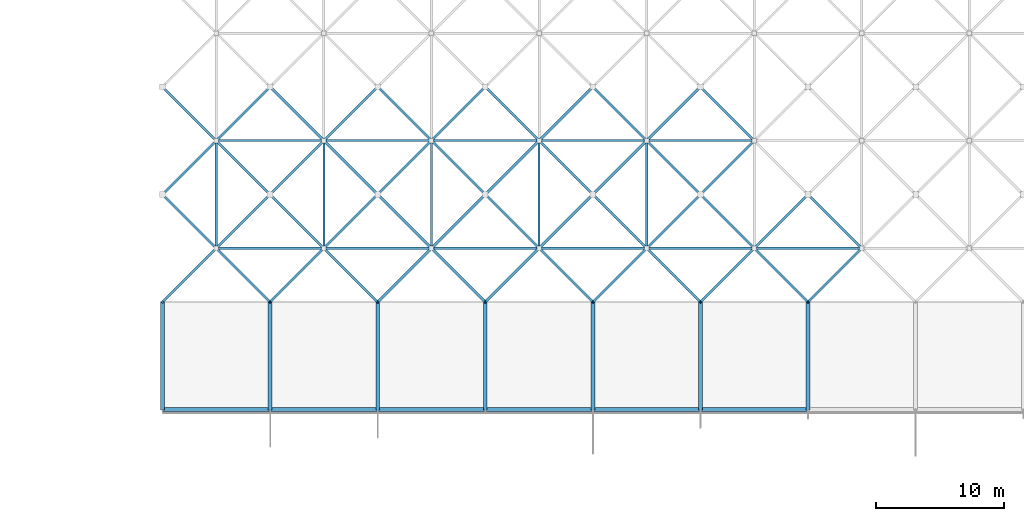
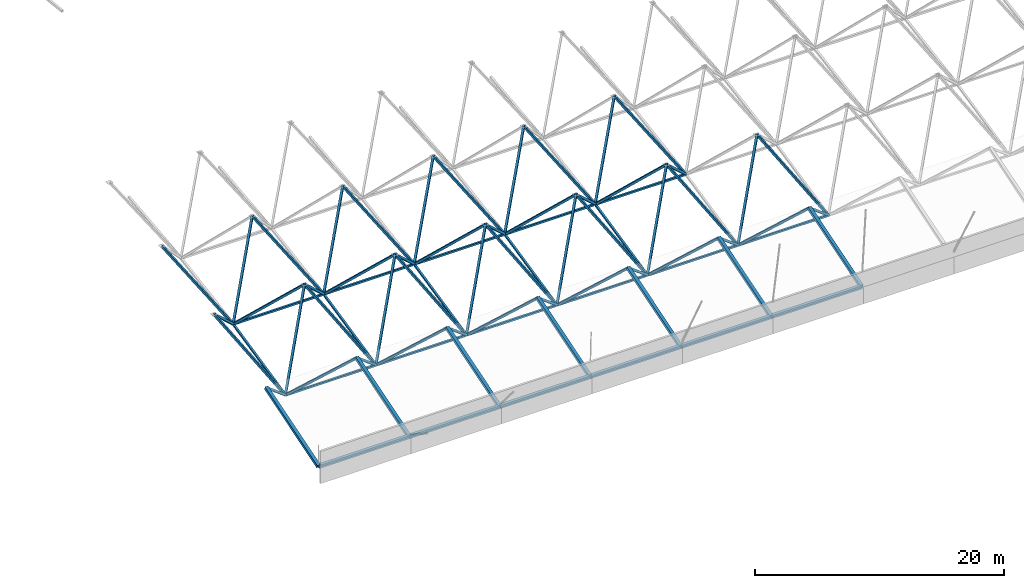
# One storey, part 15 of 85: 77 members.
"""IFC4 building model written with IfcOpenShell, lengths in metres."""

import ifcopenshell
import ifcopenshell.guid

model = None  # the IFC model being written
_history = None  # IfcOwnerHistory: only IFC2X3 demands one
_inside = {}  # id of a spatial element -> (the spatial element, [elements in it])
_under = {}  # id of a project, library or spatial element -> (it, [spatial elements below it])
_declared = {}  # id of a project -> (the project, [libraries it declares])
_typed = {}  # id of a type object -> (the type object, [elements of that type])
_made_of = {}  # id of a material, layer set ... -> (it, [elements and type objects made of it])


def new_model(schema):
    """Start an empty IFC model of exactly this schema.

    Asked for "IFC4X3", IfcOpenShell would pick the latest addendum, in which some entities
    have other attributes; the version numbers below select the first issue.
    IFC2X3 requires an IfcOwnerHistory on every rooted entity: one is made here for all.
    """
    global model, _history
    if schema == "IFC4X3":
        model = ifcopenshell.file(schema_version=(4, 3, 0, 0))
    else:
        model = ifcopenshell.file(schema=schema)
    _inside.clear()
    _under.clear()
    _declared.clear()
    _typed.clear()
    _made_of.clear()
    _history = None
    if model.schema == "IFC2X3":
        org = make("IfcOrganization", Name="unknown")
        user = make(
            "IfcPersonAndOrganization",
            ThePerson=make("IfcPerson", FamilyName="unknown"),
            TheOrganization=org,
        )
        app = make(
            "IfcApplication",
            ApplicationDeveloper=org,
            Version="unknown",
            ApplicationFullName="unknown",
            ApplicationIdentifier="unknown",
        )
        _history = make(
            "IfcOwnerHistory",
            OwningUser=user,
            OwningApplication=app,
            ChangeAction="ADDED",
            CreationDate=0,
        )
    return model


def make(cls, **values):
    """One entity of the class cls with the attributes given. An attribute that is None is left unset."""
    return model.create_entity(
        cls, **{name: value for name, value in values.items() if value is not None}
    )


def rooted(cls, **values):
    """An entity with a GlobalId (a new one), such as an element, a storey or a relation."""
    return make(cls, GlobalId=ifcopenshell.guid.new(), OwnerHistory=_history, **values)


def si_unit(unit_type, name, prefix=None):
    """IfcSIUnit, for example si_unit("LENGTHUNIT", "METRE", prefix="MILLI")."""
    return make("IfcSIUnit", UnitType=unit_type, Prefix=prefix, Name=name)


def assignment(units):
    """IfcUnitAssignment: the units of a project."""
    return None if units is None else make("IfcUnitAssignment", Units=units)


def point(xyz):
    """IfcCartesianPoint."""
    return None if xyz is None else make("IfcCartesianPoint", Coordinates=xyz)


def direction(xyz):
    """IfcDirection."""
    return None if xyz is None else make("IfcDirection", DirectionRatios=xyz)


def frame(location, z_axis=None, x_axis=None):
    """IfcAxis2Placement3D, a coordinate frame: its origin and axes. An axis left out is left unset."""
    return make(
        "IfcAxis2Placement3D",
        Location=point(location),
        Axis=direction(z_axis),
        RefDirection=direction(x_axis),
    )


def frame_2d(location, x_axis=None):
    """IfcAxis2Placement2D, a coordinate frame in the plane: its origin and x axis."""
    return make(
        "IfcAxis2Placement2D", Location=point(location), RefDirection=direction(x_axis)
    )


def origin():
    """The frame at (0, 0, 0) with its axes left unset."""
    return frame((0.0, 0.0, 0.0))


def origin_2d():
    """The frame at (0, 0) in the plane with its x axis left unset."""
    return frame_2d((0.0, 0.0))


def place(relative_to, where):
    """IfcLocalPlacement: puts the frame where relative to a parent placement (None: the world)."""
    return make(
        "IfcLocalPlacement", PlacementRelTo=relative_to, RelativePlacement=where
    )


def context(
    kind, dimensions, precision=None, world=None, true_north=None, identifier=None
):
    """IfcGeometricRepresentationContext, for example the 3D "Model" context."""
    return make(
        "IfcGeometricRepresentationContext",
        ContextIdentifier=identifier,
        ContextType=kind,
        CoordinateSpaceDimension=dimensions,
        Precision=precision,
        WorldCoordinateSystem=world,
        TrueNorth=true_north,
    )


def subcontext(parent, identifier, kind, view, scale=None):
    """IfcGeometricRepresentationSubContext, for example "Body" below "Model"."""
    return make(
        "IfcGeometricRepresentationSubContext",
        ContextIdentifier=identifier,
        ContextType=kind,
        ParentContext=parent,
        TargetScale=scale,
        TargetView=view,
    )


def project(units=None, contexts=None):
    """IfcProject with its units and contexts."""
    return rooted(
        "IfcProject",
        Name="project",
        RepresentationContexts=contexts,
        UnitsInContext=assignment(units),
    )


def spatial(cls, under=None, at=None, **own):
    """A site, building, storey or space (cls), placed at a placement, below another one or the project."""
    s = rooted(cls, ObjectPlacement=at, **own)
    if under is not None:
        _under.setdefault(under.id(), (under, []))[1].append(s)
    return s


def profile(cls, at=None, kind="AREA", **sizes):
    """A parametric profile (cls). Its sizes go by their IFC names, for example OverallWidth=200.0."""
    return make(cls, ProfileType=kind, Position=at, **sizes)


def hollow_rectangle(**sizes):
    """IfcRectangleHollowProfileDef."""
    return profile("IfcRectangleHollowProfileDef", **sizes)


def extrude(swept, where, along, depth):
    """IfcExtrudedAreaSolid: the profile swept, set in the frame where, extruded along a direction by depth."""
    return make(
        "IfcExtrudedAreaSolid",
        SweptArea=swept,
        Position=where,
        ExtrudedDirection=direction(along),
        Depth=depth,
    )


def shape(context_of_items, identifier, shape_type, items):
    """IfcShapeRepresentation: the items that make up one representation, for example the "Body"."""
    return make(
        "IfcShapeRepresentation",
        ContextOfItems=context_of_items,
        RepresentationIdentifier=identifier,
        RepresentationType=shape_type,
        Items=items,
    )


def material(Name=None, Category=None):
    """IfcMaterial."""
    return make("IfcMaterial", Name=Name, Category=Category)


def material_profile(
    of_material, cross_section, Name=None, Category=None, Priority=None
):
    """IfcMaterialProfile: a cross section and its material."""
    return make(
        "IfcMaterialProfile",
        Name=Name,
        Material=of_material,
        Profile=cross_section,
        Priority=Priority,
        Category=Category,
    )


def profile_set(profiles, Name=None, composite=None):
    """IfcMaterialProfileSet."""
    return make(
        "IfcMaterialProfileSet",
        Name=Name,
        MaterialProfiles=profiles,
        CompositeProfile=composite,
    )


def made_of(thing, what):
    """Note that an element or type object is made of a material, layer set ...; save() writes the relation."""
    if what is not None:
        _made_of.setdefault(what.id(), (what, []))[1].append(thing)
    return thing


def type_object(cls, material=None, **own):
    """A type object (cls), such as IfcWallType, which elements share."""
    return made_of(rooted(cls, **own), material)


def element(
    cls,
    number,
    at=None,
    inside=None,
    cuts=None,
    type_object=None,
    material=None,
    context=None,
    identifier="Body",
    shape_type=None,
    held_by="IfcProductDefinitionShape",
    body=None,
    shapes=None,
    **own,
):
    """One element of the class cls, such as IfcWall. Its Tag is "e" and its number.

    at: its placement. inside: the storey or other place that contains it. cuts: it is an
    opening in that element (IfcRelVoidsElement). A single representation is given by context,
    identifier, shape_type and body (its items); several are given by shapes. held_by: the class
    of the entity that holds the representations. save() writes the other relations.
    """
    e = rooted(cls, Tag="e%d" % number, ObjectPlacement=at, **own)
    if body is not None:
        shapes = [shape(context, identifier, shape_type, body)]
    if shapes is not None:
        e.Representation = make(held_by, Representations=shapes)
    if inside is not None:
        _inside.setdefault(inside.id(), (inside, []))[1].append(e)
    if cuts is not None:
        rooted(
            "IfcRelVoidsElement", RelatingBuildingElement=cuts, RelatedOpeningElement=e
        )
    if type_object is not None:
        _typed.setdefault(type_object.id(), (type_object, []))[1].append(e)
    return made_of(e, material)


def aggregate(whole, parts):
    """IfcRelAggregates: a whole, such as a stair, and the parts it consists of."""
    return rooted("IfcRelAggregates", RelatingObject=whole, RelatedObjects=parts)


def save(model, path):
    """Write the relations noted so far, then the file.

    IfcRelAggregates (storeys below a building ...), IfcRelContainedInSpatialStructure (elements
    in a storey), IfcRelDefinesByType, IfcRelAssociatesMaterial and IfcRelDeclares: one each for
    every whole, place, type object, material and project.
    """
    for whole, parts in _under.values():
        aggregate(whole, parts)
    for where, things in _inside.values():
        rooted(
            "IfcRelContainedInSpatialStructure",
            RelatedElements=things,
            RelatingStructure=where,
        )
    for kind, things in _typed.values():
        rooted("IfcRelDefinesByType", RelatedObjects=things, RelatingType=kind)
    for what, things in _made_of.values():
        rooted("IfcRelAssociatesMaterial", RelatedObjects=things, RelatingMaterial=what)
    for by, libraries in _declared.values():
        rooted("IfcRelDeclares", RelatingContext=by, RelatedDefinitions=libraries)
    model.write(path)


model = new_model("IFC4")

# Units and contexts
model_context = context("Model", 3, precision=1e-05, world=origin(), true_north=direction((0.0, 1.0)))
body_context = subcontext(model_context, "Body", "Model", "MODEL_VIEW")
ifc_project = project(units=[si_unit("LENGTHUNIT", "METRE"), si_unit("AREAUNIT", "SQUARE_METRE"), si_unit("VOLUMEUNIT", "CUBIC_METRE"), si_unit("PLANEANGLEUNIT", "RADIAN"), si_unit("MASSUNIT", "GRAM", prefix="KILO")], contexts=[model_context])

# Site, building, storey
site_placement = place(None, origin())
site = spatial("IfcSite", under=ifc_project, at=site_placement, CompositionType="ELEMENT")
building_placement = place(site_placement, origin())
building = spatial("IfcBuilding", under=site, at=building_placement, Name="Rain Tree Exposition and Congress Centre", CompositionType="ELEMENT")
storey_placement = place(building_placement, frame((0.0, 0.0, 15.0)))
storey = spatial("IfcBuildingStorey", under=building, at=storey_placement, Name="L03", CompositionType="ELEMENT", Elevation=15.0)

# Members
ifc_material_1 = material(Name="Steel S355J2H", Category="steel")
ifc_material_profile_1 = material_profile(ifc_material_1, hollow_rectangle(XDim=0.199951171875, YDim=0.199951171875, WallThickness=0.009033203125, at=origin_2d()), Name="RHS 200x200x9")
ifc_profile_set_1 = profile_set([ifc_material_profile_1], Name="Steel S355J2H")
member_type_1 = type_object("IfcMemberType", Name="Steel brace member RHS 200x200x9", PredefinedType="BRACE", material=ifc_profile_set_1)
member_1_placement = place(storey_placement, frame((12.60009765625, 113.39990234375, 0.732666015625), z_axis=(-0.552977009953, -0.552944867602, 0.623272332016), x_axis=(0.70708622964, -0.707127332136, 0.0)))
element("IfcMember", 1, at=member_1_placement, inside=storey, type_object=member_type_1, Name="Diagonal 446", PredefinedType="BRACE", context=body_context, shape_type="SweptSolid", body=[
    extrude(hollow_rectangle(XDim=0.199951171875, YDim=0.199951171875, WallThickness=0.009033203125, at=origin_2d()), origin(), (0.0, 0.0, 1.0), 7.595703125),
])
member_2_placement = place(storey_placement, frame((12.60009765625, 113.39990234375, 0.732666015625), z_axis=(0.55295469561, -0.55295469561, 0.62328341002), x_axis=(0.707106781187, 0.707106781187, 0.0)))
element("IfcMember", 2, at=member_2_placement, inside=storey, type_object=member_type_1, Name="Diagonal 447", PredefinedType="BRACE", context=body_context, shape_type="SweptSolid", body=[
    extrude(hollow_rectangle(XDim=0.199951171875, YDim=0.199951171875, WallThickness=0.009033203125, at=origin_2d()), origin(), (0.0, 0.0, 1.0), 7.595458984375),
])
for number, where, z_axis, x_axis, name in (
    (3, (12.60009765625, 113.39990234375, 0.732666015625), (-0.46357929112, 0.46357929112, 0.755108258258), (-0.707106781187, -0.707106781187, 0.0), "Diagonal 448"),
    (4, (12.60009765625, 113.39990234375, 0.732666015625), (0.46355813556, 0.463585081915, 0.755117690682), (-0.707127332136, 0.70708622964, 0.0), "Diagonal 449"),
):
    element("IfcMember", number, at=place(storey_placement, frame(where, z_axis=z_axis, x_axis=x_axis)), inside=storey, type_object=member_type_1, Name=name, PredefinedType="BRACE", context=body_context, shape_type="SweptSolid", body=[
        extrude(hollow_rectangle(XDim=0.199951171875, YDim=0.199951171875, WallThickness=0.009033203125, at=origin_2d()), origin(), (0.0, 0.0, 1.0), 9.060302734375),
    ])
for number, where, z_axis, x_axis, name in (
    (5, (21.0, 113.39990234375, 0.732666015625), (-0.55295469561, -0.55295469561, 0.62328341002), (0.707106781187, -0.707106781187, 0.0), "Diagonal 452"),
    (6, (21.0, 113.39990234375, 0.732666015625), (0.55295469561, -0.55295469561, 0.62328341002), (0.707106781187, 0.707106781187, 0.0), "Diagonal 453"),
):
    element("IfcMember", number, at=place(storey_placement, frame(where, z_axis=z_axis, x_axis=x_axis)), inside=storey, type_object=member_type_1, Name=name, PredefinedType="BRACE", context=body_context, shape_type="SweptSolid", body=[
        extrude(hollow_rectangle(XDim=0.199951171875, YDim=0.199951171875, WallThickness=0.009033203125, at=origin_2d()), origin(), (0.0, 0.0, 1.0), 7.595458984375),
    ])
for number, where, z_axis, x_axis, name in (
    (7, (21.0, 113.39990234375, 0.732666015625), (-0.46355813556, 0.463585081915, 0.755117690682), (-0.707127332136, -0.70708622964, 0.0), "Diagonal 454"),
    (8, (21.0, 113.39990234375, 0.732666015625), (0.46355813556, 0.463585081915, 0.755117690682), (-0.707127332136, 0.70708622964, 0.0), "Diagonal 455"),
):
    element("IfcMember", number, at=place(storey_placement, frame(where, z_axis=z_axis, x_axis=x_axis)), inside=storey, type_object=member_type_1, Name=name, PredefinedType="BRACE", context=body_context, shape_type="SweptSolid", body=[
        extrude(hollow_rectangle(XDim=0.199951171875, YDim=0.199951171875, WallThickness=0.009033203125, at=origin_2d()), origin(), (0.0, 0.0, 1.0), 9.060302734375),
    ])
member_3_placement = place(storey_placement, frame((29.39990234375, 113.39990234375, 0.732666015625), z_axis=(-0.55295469561, -0.55295469561, 0.62328341002), x_axis=(0.707106781187, -0.707106781187, 0.0)))
element("IfcMember", 9, at=member_3_placement, inside=storey, type_object=member_type_1, Name="Diagonal 458", PredefinedType="BRACE", context=body_context, shape_type="SweptSolid", body=[
    extrude(hollow_rectangle(XDim=0.199951171875, YDim=0.199951171875, WallThickness=0.009033203125, at=origin_2d()), origin(), (0.0, 0.0, 1.0), 7.595458984375),
])
member_4_placement = place(storey_placement, frame((29.39990234375, 113.39990234375, 0.732666015625), z_axis=(0.552977009953, -0.552944867602, 0.623272332016), x_axis=(0.70708622964, 0.707127332136, 0.0)))
element("IfcMember", 10, at=member_4_placement, inside=storey, type_object=member_type_1, Name="Diagonal 459", PredefinedType="BRACE", context=body_context, shape_type="SweptSolid", body=[
    extrude(hollow_rectangle(XDim=0.199951171875, YDim=0.199951171875, WallThickness=0.009033203125, at=origin_2d()), origin(), (0.0, 0.0, 1.0), 7.595703125),
])
for number, where, z_axis, x_axis, name in (
    (11, (29.39990234375, 113.39990234375, 0.732666015625), (-0.46355813556, 0.463585081915, 0.755117690682), (-0.707127332136, -0.70708622964, 0.0), "Diagonal 460"),
    (12, (29.39990234375, 113.39990234375, 0.732666015625), (0.46357929112, 0.46357929112, 0.755108258258), (-0.707106781187, 0.707106781187, 0.0), "Diagonal 461"),
):
    element("IfcMember", number, at=place(storey_placement, frame(where, z_axis=z_axis, x_axis=x_axis)), inside=storey, type_object=member_type_1, Name=name, PredefinedType="BRACE", context=body_context, shape_type="SweptSolid", body=[
        extrude(hollow_rectangle(XDim=0.199951171875, YDim=0.199951171875, WallThickness=0.009033203125, at=origin_2d()), origin(), (0.0, 0.0, 1.0), 9.060302734375),
    ])
for number, where, z_axis, x_axis, name in (
    (13, (37.800048828125, 113.39990234375, 0.732666015625), (-0.55295469561, -0.55295469561, 0.62328341002), (0.707106781187, -0.707106781187, 0.0), "Diagonal 464"),
    (14, (37.800048828125, 113.39990234375, 0.732666015625), (0.55295469561, -0.55295469561, 0.62328341002), (0.707106781187, 0.707106781187, 0.0), "Diagonal 465"),
):
    element("IfcMember", number, at=place(storey_placement, frame(where, z_axis=z_axis, x_axis=x_axis)), inside=storey, type_object=member_type_1, Name=name, PredefinedType="BRACE", context=body_context, shape_type="SweptSolid", body=[
        extrude(hollow_rectangle(XDim=0.199951171875, YDim=0.199951171875, WallThickness=0.009033203125, at=origin_2d()), origin(), (0.0, 0.0, 1.0), 7.595458984375),
    ])
for number, where, z_axis, x_axis, name in (
    (15, (37.800048828125, 113.39990234375, 0.732666015625), (-0.46355813556, 0.463585081915, 0.755117690682), (-0.707127332136, -0.70708622964, 0.0), "Diagonal 466"),
    (16, (37.800048828125, 113.39990234375, 0.732666015625), (0.46355813556, 0.463585081915, 0.755117690682), (-0.707127332136, 0.70708622964, 0.0), "Diagonal 467"),
):
    element("IfcMember", number, at=place(storey_placement, frame(where, z_axis=z_axis, x_axis=x_axis)), inside=storey, type_object=member_type_1, Name=name, PredefinedType="BRACE", context=body_context, shape_type="SweptSolid", body=[
        extrude(hollow_rectangle(XDim=0.199951171875, YDim=0.199951171875, WallThickness=0.009033203125, at=origin_2d()), origin(), (0.0, 0.0, 1.0), 9.060302734375),
    ])
for number, where, z_axis, x_axis, name in (
    (17, (46.199951171875, 113.39990234375, 0.732666015625), (-0.55295469561, -0.55295469561, 0.62328341002), (0.707106781187, -0.707106781187, 0.0), "Diagonal 470"),
    (18, (46.199951171875, 113.39990234375, 0.732666015625), (0.55295469561, -0.55295469561, 0.62328341002), (0.707106781187, 0.707106781187, 0.0), "Diagonal 471"),
):
    element("IfcMember", number, at=place(storey_placement, frame(where, z_axis=z_axis, x_axis=x_axis)), inside=storey, type_object=member_type_1, Name=name, PredefinedType="BRACE", context=body_context, shape_type="SweptSolid", body=[
        extrude(hollow_rectangle(XDim=0.199951171875, YDim=0.199951171875, WallThickness=0.009033203125, at=origin_2d()), origin(), (0.0, 0.0, 1.0), 7.595458984375),
    ])
for number, where, z_axis, x_axis, name in (
    (19, (46.199951171875, 113.39990234375, 0.732666015625), (-0.46355813556, 0.463585081915, 0.755117690682), (-0.707127332136, -0.70708622964, 0.0), "Diagonal 472"),
    (20, (46.199951171875, 113.39990234375, 0.732666015625), (0.46355813556, 0.463585081915, 0.755117690682), (-0.707127332136, 0.70708622964, 0.0), "Diagonal 473"),
):
    element("IfcMember", number, at=place(storey_placement, frame(where, z_axis=z_axis, x_axis=x_axis)), inside=storey, type_object=member_type_1, Name=name, PredefinedType="BRACE", context=body_context, shape_type="SweptSolid", body=[
        extrude(hollow_rectangle(XDim=0.199951171875, YDim=0.199951171875, WallThickness=0.009033203125, at=origin_2d()), origin(), (0.0, 0.0, 1.0), 9.060302734375),
    ])
member_5_placement = place(storey_placement, frame((54.60009765625, 113.39990234375, 0.732666015625), z_axis=(-0.552977009953, -0.552944867602, 0.623272332016), x_axis=(0.70708622964, -0.707127332136, 0.0)))
element("IfcMember", 21, at=member_5_placement, inside=storey, type_object=member_type_1, Name="Diagonal 476", PredefinedType="BRACE", context=body_context, shape_type="SweptSolid", body=[
    extrude(hollow_rectangle(XDim=0.199951171875, YDim=0.199951171875, WallThickness=0.009033203125, at=origin_2d()), origin(), (0.0, 0.0, 1.0), 7.595703125),
])
member_6_placement = place(storey_placement, frame((54.60009765625, 113.39990234375, 0.732666015625), z_axis=(0.55295469561, -0.55295469561, 0.62328341002), x_axis=(0.707106781187, 0.707106781187, 0.0)))
element("IfcMember", 22, at=member_6_placement, inside=storey, type_object=member_type_1, Name="Diagonal 477", PredefinedType="BRACE", context=body_context, shape_type="SweptSolid", body=[
    extrude(hollow_rectangle(XDim=0.199951171875, YDim=0.199951171875, WallThickness=0.009033203125, at=origin_2d()), origin(), (0.0, 0.0, 1.0), 7.595458984375),
])
for number, where, z_axis, x_axis, name in (
    (23, (54.60009765625, 113.39990234375, 0.732666015625), (-0.46357929112, 0.46357929112, 0.755108258258), (-0.707106781187, -0.707106781187, 0.0), "Diagonal 478"),
    (24, (54.60009765625, 113.39990234375, 0.732666015625), (0.46355813556, 0.463585081915, 0.755117690682), (-0.707127332136, 0.70708622964, 0.0), "Diagonal 479"),
):
    element("IfcMember", number, at=place(storey_placement, frame(where, z_axis=z_axis, x_axis=x_axis)), inside=storey, type_object=member_type_1, Name=name, PredefinedType="BRACE", context=body_context, shape_type="SweptSolid", body=[
        extrude(hollow_rectangle(XDim=0.199951171875, YDim=0.199951171875, WallThickness=0.009033203125, at=origin_2d()), origin(), (0.0, 0.0, 1.0), 9.060302734375),
    ])
member_7_placement = place(storey_placement, frame((63.0, 113.39990234375, 0.732666015625), z_axis=(-0.55295469561, -0.55295469561, 0.62328341002), x_axis=(0.707106781187, -0.707106781187, 0.0)))
element("IfcMember", 25, at=member_7_placement, inside=storey, type_object=member_type_1, Name="Diagonal 482", PredefinedType="BRACE", context=body_context, shape_type="SweptSolid", body=[
    extrude(hollow_rectangle(XDim=0.199951171875, YDim=0.199951171875, WallThickness=0.009033203125, at=origin_2d()), origin(), (0.0, 0.0, 1.0), 7.595458984375),
])
member_8_placement = place(storey_placement, frame((63.0, 113.39990234375, 0.732666015625), z_axis=(-0.46355813556, 0.463585081915, 0.755117690682), x_axis=(-0.707127332136, -0.70708622964, 0.0)))
element("IfcMember", 26, at=member_8_placement, inside=storey, type_object=member_type_1, Name="Diagonal 484", PredefinedType="BRACE", context=body_context, shape_type="SweptSolid", body=[
    extrude(hollow_rectangle(XDim=0.199951171875, YDim=0.199951171875, WallThickness=0.009033203125, at=origin_2d()), origin(), (0.0, 0.0, 1.0), 9.060302734375),
])
member_9_placement = place(storey_placement, frame((12.60009765625, 121.800048828125, 2.593505859375), z_axis=(-0.541842377579, -0.54181088244, 0.642532338119), x_axis=(0.70708622964, -0.707127332136, 0.0)))
element("IfcMember", 27, at=member_9_placement, inside=storey, type_object=member_type_1, Name="Diagonal 529", PredefinedType="BRACE", context=body_context, shape_type="SweptSolid", body=[
    extrude(hollow_rectangle(XDim=0.199951171875, YDim=0.199951171875, WallThickness=0.009033203125, at=origin_2d()), origin(), (0.0, 0.0, 1.0), 7.751708984375),
])
member_10_placement = place(storey_placement, frame((12.60009765625, 121.800048828125, 2.593505859375), z_axis=(0.541820128628, -0.541820128628, 0.642543303153), x_axis=(0.707106781187, 0.707106781187, 0.0)))
element("IfcMember", 28, at=member_10_placement, inside=storey, type_object=member_type_1, Name="Diagonal 530", PredefinedType="BRACE", context=body_context, shape_type="SweptSolid", body=[
    extrude(hollow_rectangle(XDim=0.199951171875, YDim=0.199951171875, WallThickness=0.009033203125, at=origin_2d()), origin(), (0.0, 0.0, 1.0), 7.75146484375),
])
for number, where, z_axis, x_axis, name in (
    (29, (12.60009765625, 121.800048828125, 2.593505859375), (-0.473049938698, 0.473022442189, 0.743285627928), (-0.70708622964, -0.707127332136, 0.0), "Diagonal 531"),
    (30, (12.60009765625, 121.800048828125, 2.593505859375), (0.473028594838, 0.473028594838, 0.743295295917), (-0.707106781187, 0.707106781187, 0.0), "Diagonal 532"),
):
    element("IfcMember", number, at=place(storey_placement, frame(where, z_axis=z_axis, x_axis=x_axis)), inside=storey, type_object=member_type_1, Name=name, PredefinedType="BRACE", context=body_context, shape_type="SweptSolid", body=[
        extrude(hollow_rectangle(XDim=0.199951171875, YDim=0.199951171875, WallThickness=0.009033203125, at=origin_2d()), origin(), (0.0, 0.0, 1.0), 8.87890625),
    ])
for number, where, z_axis, x_axis, name in (
    (31, (21.0, 121.800048828125, 2.593505859375), (-0.541820128628, -0.541820128628, 0.642543303153), (0.707106781187, -0.707106781187, 0.0), "Diagonal 535"),
    (32, (21.0, 121.800048828125, 2.593505859375), (0.541820128628, -0.541820128628, 0.642543303153), (0.707106781187, 0.707106781187, 0.0), "Diagonal 536"),
):
    element("IfcMember", number, at=place(storey_placement, frame(where, z_axis=z_axis, x_axis=x_axis)), inside=storey, type_object=member_type_1, Name=name, PredefinedType="BRACE", context=body_context, shape_type="SweptSolid", body=[
        extrude(hollow_rectangle(XDim=0.199951171875, YDim=0.199951171875, WallThickness=0.009033203125, at=origin_2d()), origin(), (0.0, 0.0, 1.0), 7.75146484375),
    ])
for number, where, z_axis, x_axis, name in (
    (33, (21.0, 121.800048828125, 2.593505859375), (-0.473028594838, 0.473028594838, 0.743295295917), (-0.707106781187, -0.707106781187, 0.0), "Diagonal 537"),
    (34, (21.0, 121.800048828125, 2.593505859375), (0.473028594838, 0.473028594838, 0.743295295917), (-0.707106781187, 0.707106781187, 0.0), "Diagonal 538"),
):
    element("IfcMember", number, at=place(storey_placement, frame(where, z_axis=z_axis, x_axis=x_axis)), inside=storey, type_object=member_type_1, Name=name, PredefinedType="BRACE", context=body_context, shape_type="SweptSolid", body=[
        extrude(hollow_rectangle(XDim=0.199951171875, YDim=0.199951171875, WallThickness=0.009033203125, at=origin_2d()), origin(), (0.0, 0.0, 1.0), 8.87890625),
    ])
member_11_placement = place(storey_placement, frame((29.39990234375, 121.800048828125, 2.593505859375), z_axis=(-0.541820128628, -0.541820128628, 0.642543303153), x_axis=(0.707106781187, -0.707106781187, 0.0)))
element("IfcMember", 35, at=member_11_placement, inside=storey, type_object=member_type_1, Name="Diagonal 541", PredefinedType="BRACE", context=body_context, shape_type="SweptSolid", body=[
    extrude(hollow_rectangle(XDim=0.199951171875, YDim=0.199951171875, WallThickness=0.009033203125, at=origin_2d()), origin(), (0.0, 0.0, 1.0), 7.75146484375),
])
member_12_placement = place(storey_placement, frame((29.39990234375, 121.800048828125, 2.593505859375), z_axis=(0.541842377579, -0.54181088244, 0.642532338119), x_axis=(0.70708622964, 0.707127332136, 0.0)))
element("IfcMember", 36, at=member_12_placement, inside=storey, type_object=member_type_1, Name="Diagonal 542", PredefinedType="BRACE", context=body_context, shape_type="SweptSolid", body=[
    extrude(hollow_rectangle(XDim=0.199951171875, YDim=0.199951171875, WallThickness=0.009033203125, at=origin_2d()), origin(), (0.0, 0.0, 1.0), 7.751708984375),
])
for number, where, z_axis, x_axis, name in (
    (37, (29.39990234375, 121.800048828125, 2.593505859375), (-0.473028594838, 0.473028594838, 0.743295295917), (-0.707106781187, -0.707106781187, 0.0), "Diagonal 543"),
    (38, (29.39990234375, 121.800048828125, 2.593505859375), (0.473049938698, 0.473022442189, 0.743285627928), (-0.70708622964, 0.707127332136, 0.0), "Diagonal 544"),
):
    element("IfcMember", number, at=place(storey_placement, frame(where, z_axis=z_axis, x_axis=x_axis)), inside=storey, type_object=member_type_1, Name=name, PredefinedType="BRACE", context=body_context, shape_type="SweptSolid", body=[
        extrude(hollow_rectangle(XDim=0.199951171875, YDim=0.199951171875, WallThickness=0.009033203125, at=origin_2d()), origin(), (0.0, 0.0, 1.0), 8.87890625),
    ])
for number, where, z_axis, x_axis, name in (
    (39, (37.800048828125, 121.800048828125, 2.593505859375), (-0.541820128628, -0.541820128628, 0.642543303153), (0.707106781187, -0.707106781187, 0.0), "Diagonal 547"),
    (40, (37.800048828125, 121.800048828125, 2.593505859375), (0.541820128628, -0.541820128628, 0.642543303153), (0.707106781187, 0.707106781187, 0.0), "Diagonal 548"),
):
    element("IfcMember", number, at=place(storey_placement, frame(where, z_axis=z_axis, x_axis=x_axis)), inside=storey, type_object=member_type_1, Name=name, PredefinedType="BRACE", context=body_context, shape_type="SweptSolid", body=[
        extrude(hollow_rectangle(XDim=0.199951171875, YDim=0.199951171875, WallThickness=0.009033203125, at=origin_2d()), origin(), (0.0, 0.0, 1.0), 7.75146484375),
    ])
for number, where, z_axis, x_axis, name in (
    (41, (37.800048828125, 121.800048828125, 2.593505859375), (-0.473028594838, 0.473028594838, 0.743295295917), (-0.707106781187, -0.707106781187, 0.0), "Diagonal 549"),
    (42, (37.800048828125, 121.800048828125, 2.593505859375), (0.473028594838, 0.473028594838, 0.743295295917), (-0.707106781187, 0.707106781187, 0.0), "Diagonal 550"),
):
    element("IfcMember", number, at=place(storey_placement, frame(where, z_axis=z_axis, x_axis=x_axis)), inside=storey, type_object=member_type_1, Name=name, PredefinedType="BRACE", context=body_context, shape_type="SweptSolid", body=[
        extrude(hollow_rectangle(XDim=0.199951171875, YDim=0.199951171875, WallThickness=0.009033203125, at=origin_2d()), origin(), (0.0, 0.0, 1.0), 8.87890625),
    ])
for number, where, z_axis, x_axis, name in (
    (43, (46.199951171875, 121.800048828125, 2.593505859375), (-0.541820128628, -0.541820128628, 0.642543303153), (0.707106781187, -0.707106781187, 0.0), "Diagonal 553"),
    (44, (46.199951171875, 121.800048828125, 2.593505859375), (0.541820128628, -0.541820128628, 0.642543303153), (0.707106781187, 0.707106781187, 0.0), "Diagonal 554"),
):
    element("IfcMember", number, at=place(storey_placement, frame(where, z_axis=z_axis, x_axis=x_axis)), inside=storey, type_object=member_type_1, Name=name, PredefinedType="BRACE", context=body_context, shape_type="SweptSolid", body=[
        extrude(hollow_rectangle(XDim=0.199951171875, YDim=0.199951171875, WallThickness=0.009033203125, at=origin_2d()), origin(), (0.0, 0.0, 1.0), 7.75146484375),
    ])
for number, where, z_axis, x_axis, name in (
    (45, (46.199951171875, 121.800048828125, 2.593505859375), (-0.473028594838, 0.473028594838, 0.743295295917), (-0.707106781187, -0.707106781187, 0.0), "Diagonal 555"),
    (46, (46.199951171875, 121.800048828125, 2.593505859375), (0.473028594838, 0.473028594838, 0.743295295917), (-0.707106781187, 0.707106781187, 0.0), "Diagonal 556"),
):
    element("IfcMember", number, at=place(storey_placement, frame(where, z_axis=z_axis, x_axis=x_axis)), inside=storey, type_object=member_type_1, Name=name, PredefinedType="BRACE", context=body_context, shape_type="SweptSolid", body=[
        extrude(hollow_rectangle(XDim=0.199951171875, YDim=0.199951171875, WallThickness=0.009033203125, at=origin_2d()), origin(), (0.0, 0.0, 1.0), 8.87890625),
    ])
member_13_placement = place(storey_placement, frame((54.60009765625, 121.800048828125, 2.593505859375), z_axis=(-0.541842377579, -0.54181088244, 0.642532338119), x_axis=(0.70708622964, -0.707127332136, 0.0)))
element("IfcMember", 47, at=member_13_placement, inside=storey, type_object=member_type_1, Name="Diagonal 559", PredefinedType="BRACE", context=body_context, shape_type="SweptSolid", body=[
    extrude(hollow_rectangle(XDim=0.199951171875, YDim=0.199951171875, WallThickness=0.009033203125, at=origin_2d()), origin(), (0.0, 0.0, 1.0), 7.751708984375),
])
member_14_placement = place(storey_placement, frame((54.60009765625, 121.800048828125, 2.593505859375), z_axis=(-0.473049938698, 0.473022442189, 0.743285627928), x_axis=(-0.70708622964, -0.707127332136, 0.0)))
element("IfcMember", 48, at=member_14_placement, inside=storey, type_object=member_type_1, Name="Diagonal 561", PredefinedType="BRACE", context=body_context, shape_type="SweptSolid", body=[
    extrude(hollow_rectangle(XDim=0.199951171875, YDim=0.199951171875, WallThickness=0.009033203125, at=origin_2d()), origin(), (0.0, 0.0, 1.0), 8.87890625),
])
ifc_material_2 = material(Name="Steel S355J2H", Category="steel")
ifc_material_profile_2 = material_profile(ifc_material_2, hollow_rectangle(XDim=0.175048828125, YDim=0.175048828125, WallThickness=0.006103515625, at=origin_2d()), Name="RHS 175x175x6")
ifc_profile_set_2 = profile_set([ifc_material_profile_2], Name="Steel S355J2H")
member_type_2 = type_object("IfcMemberType", Name="Steel chord member RHS 175x175x6", PredefinedType="CHORD", material=ifc_profile_set_2)
member_15_placement = place(storey_placement, frame((12.60009765625, 113.39990234375, 0.732666015625), z_axis=(1.0, 0.0, 0.0), x_axis=(0.0, 1.0, 0.0)))
element("IfcMember", 49, at=member_15_placement, inside=storey, type_object=member_type_2, Name="Bottom chord 450", PredefinedType="CHORD", context=body_context, shape_type="SweptSolid", body=[
    extrude(hollow_rectangle(XDim=0.175048828125, YDim=0.175048828125, WallThickness=0.006103515625, at=origin_2d()), origin(), (0.0, 0.0, 1.0), 8.39990234375),
])
member_16_placement = place(storey_placement, frame((12.60009765625, 113.39990234375, 0.732666015625), z_axis=(0.0, 0.976331061019, 0.216281435379), x_axis=(-1.0, 0.0, 0.0)))
element("IfcMember", 50, at=member_16_placement, inside=storey, type_object=member_type_2, Name="Bottom chord 451", PredefinedType="CHORD", context=body_context, shape_type="SweptSolid", body=[
    extrude(hollow_rectangle(XDim=0.175048828125, YDim=0.175048828125, WallThickness=0.006103515625, at=origin_2d()), origin(), (0.0, 0.0, 1.0), 8.603759765625),
])
member_17_placement = place(storey_placement, frame((21.0, 113.39990234375, 0.732666015625), z_axis=(1.0, 0.0, 0.0), x_axis=(0.0, 1.0, 0.0)))
element("IfcMember", 51, at=member_17_placement, inside=storey, type_object=member_type_2, Name="Bottom chord 456", PredefinedType="CHORD", context=body_context, shape_type="SweptSolid", body=[
    extrude(hollow_rectangle(XDim=0.175048828125, YDim=0.175048828125, WallThickness=0.006103515625, at=origin_2d()), origin(), (0.0, 0.0, 1.0), 8.39990234375),
])
member_18_placement = place(storey_placement, frame((21.0, 113.39990234375, 0.732666015625), z_axis=(0.0, 0.976331061019, 0.216281435379), x_axis=(-1.0, 0.0, 0.0)))
element("IfcMember", 52, at=member_18_placement, inside=storey, type_object=member_type_2, Name="Bottom chord 457", PredefinedType="CHORD", context=body_context, shape_type="SweptSolid", body=[
    extrude(hollow_rectangle(XDim=0.175048828125, YDim=0.175048828125, WallThickness=0.006103515625, at=origin_2d()), origin(), (0.0, 0.0, 1.0), 8.603759765625),
])
member_19_placement = place(storey_placement, frame((29.39990234375, 113.39990234375, 0.732666015625), z_axis=(1.0, 0.0, 0.0), x_axis=(0.0, 1.0, 0.0)))
element("IfcMember", 53, at=member_19_placement, inside=storey, type_object=member_type_2, Name="Bottom chord 462", PredefinedType="CHORD", context=body_context, shape_type="SweptSolid", body=[
    extrude(hollow_rectangle(XDim=0.175048828125, YDim=0.175048828125, WallThickness=0.006103515625, at=origin_2d()), origin(), (0.0, 0.0, 1.0), 8.400146484375),
])
member_20_placement = place(storey_placement, frame((29.39990234375, 113.39990234375, 0.732666015625), z_axis=(0.0, 0.976331061019, 0.216281435379), x_axis=(-1.0, 0.0, 0.0)))
element("IfcMember", 54, at=member_20_placement, inside=storey, type_object=member_type_2, Name="Bottom chord 463", PredefinedType="CHORD", context=body_context, shape_type="SweptSolid", body=[
    extrude(hollow_rectangle(XDim=0.175048828125, YDim=0.175048828125, WallThickness=0.006103515625, at=origin_2d()), origin(), (0.0, 0.0, 1.0), 8.603759765625),
])
member_21_placement = place(storey_placement, frame((37.800048828125, 113.39990234375, 0.732666015625), z_axis=(1.0, 0.0, 0.0), x_axis=(0.0, 1.0, 0.0)))
element("IfcMember", 55, at=member_21_placement, inside=storey, type_object=member_type_2, Name="Bottom chord 468", PredefinedType="CHORD", context=body_context, shape_type="SweptSolid", body=[
    extrude(hollow_rectangle(XDim=0.175048828125, YDim=0.175048828125, WallThickness=0.006103515625, at=origin_2d()), origin(), (0.0, 0.0, 1.0), 8.39990234375),
])
member_22_placement = place(storey_placement, frame((37.800048828125, 113.39990234375, 0.732666015625), z_axis=(0.0, 0.976331061019, 0.216281435379), x_axis=(-1.0, 0.0, 0.0)))
element("IfcMember", 56, at=member_22_placement, inside=storey, type_object=member_type_2, Name="Bottom chord 469", PredefinedType="CHORD", context=body_context, shape_type="SweptSolid", body=[
    extrude(hollow_rectangle(XDim=0.175048828125, YDim=0.175048828125, WallThickness=0.006103515625, at=origin_2d()), origin(), (0.0, 0.0, 1.0), 8.603759765625),
])
member_23_placement = place(storey_placement, frame((46.199951171875, 113.39990234375, 0.732666015625), z_axis=(1.0, 0.0, 0.0), x_axis=(0.0, 1.0, 0.0)))
element("IfcMember", 57, at=member_23_placement, inside=storey, type_object=member_type_2, Name="Bottom chord 474", PredefinedType="CHORD", context=body_context, shape_type="SweptSolid", body=[
    extrude(hollow_rectangle(XDim=0.175048828125, YDim=0.175048828125, WallThickness=0.006103515625, at=origin_2d()), origin(), (0.0, 0.0, 1.0), 8.400146484375),
])
member_24_placement = place(storey_placement, frame((46.199951171875, 113.39990234375, 0.732666015625), z_axis=(0.0, 0.976331061019, 0.216281435379), x_axis=(-1.0, 0.0, 0.0)))
element("IfcMember", 58, at=member_24_placement, inside=storey, type_object=member_type_2, Name="Bottom chord 475", PredefinedType="CHORD", context=body_context, shape_type="SweptSolid", body=[
    extrude(hollow_rectangle(XDim=0.175048828125, YDim=0.175048828125, WallThickness=0.006103515625, at=origin_2d()), origin(), (0.0, 0.0, 1.0), 8.603759765625),
])
for number, where, z_axis, x_axis, name in (
    (59, (54.60009765625, 113.39990234375, 0.732666015625), (1.0, 0.0, 0.0), (0.0, 1.0, 0.0), "Bottom chord 480"),
    (60, (12.60009765625, 121.800048828125, 2.593505859375), (1.0, 0.0, 0.0), (0.0, 1.0, 0.0), "Bottom chord 533"),
    (61, (21.0, 121.800048828125, 2.593505859375), (1.0, 0.0, 0.0), (0.0, 1.0, 0.0), "Bottom chord 539"),
):
    element("IfcMember", number, at=place(storey_placement, frame(where, z_axis=z_axis, x_axis=x_axis)), inside=storey, type_object=member_type_2, Name=name, PredefinedType="CHORD", context=body_context, shape_type="SweptSolid", body=[
        extrude(hollow_rectangle(XDim=0.175048828125, YDim=0.175048828125, WallThickness=0.006103515625, at=origin_2d()), origin(), (0.0, 0.0, 1.0), 8.39990234375),
    ])
member_25_placement = place(storey_placement, frame((29.39990234375, 121.800048828125, 2.593505859375), z_axis=(1.0, 0.0, 0.0), x_axis=(0.0, 1.0, 0.0)))
element("IfcMember", 62, at=member_25_placement, inside=storey, type_object=member_type_2, Name="Bottom chord 545", PredefinedType="CHORD", context=body_context, shape_type="SweptSolid", body=[
    extrude(hollow_rectangle(XDim=0.175048828125, YDim=0.175048828125, WallThickness=0.006103515625, at=origin_2d()), origin(), (0.0, 0.0, 1.0), 8.400146484375),
])
member_26_placement = place(storey_placement, frame((37.800048828125, 121.800048828125, 2.593505859375), z_axis=(1.0, 0.0, 0.0), x_axis=(0.0, 1.0, 0.0)))
element("IfcMember", 63, at=member_26_placement, inside=storey, type_object=member_type_2, Name="Bottom chord 551", PredefinedType="CHORD", context=body_context, shape_type="SweptSolid", body=[
    extrude(hollow_rectangle(XDim=0.175048828125, YDim=0.175048828125, WallThickness=0.006103515625, at=origin_2d()), origin(), (0.0, 0.0, 1.0), 8.39990234375),
])
member_27_placement = place(storey_placement, frame((46.199951171875, 121.800048828125, 2.593505859375), z_axis=(1.0, 0.0, 0.0), x_axis=(0.0, 1.0, 0.0)))
element("IfcMember", 64, at=member_27_placement, inside=storey, type_object=member_type_2, Name="Bottom chord 557", PredefinedType="CHORD", context=body_context, shape_type="SweptSolid", body=[
    extrude(hollow_rectangle(XDim=0.175048828125, YDim=0.175048828125, WallThickness=0.006103515625, at=origin_2d()), origin(), (0.0, 0.0, 1.0), 8.400146484375),
])
ifc_material_3 = material(Name="Steel S355J2H", Category="steel")
ifc_material_profile_3 = material_profile(ifc_material_3, hollow_rectangle(XDim=0.300048828125, YDim=0.300048828125, WallThickness=0.009033203125, at=origin_2d()), Name="RHS 300x300x9")
ifc_profile_set_3 = profile_set([ifc_material_profile_3], Name="Steel S355J2H")
member_type_3 = type_object("IfcMemberType", Name="Steel chord member RHS 300x300x9", PredefinedType="CHORD", material=ifc_profile_set_3)
member_28_placement = place(storey_placement, frame((8.39990234375, 100.800048828125, 2.85009765625), z_axis=(1.0, 0.0, 0.0), x_axis=(0.0, 1.0, 0.0)))
element("IfcMember", 65, at=member_28_placement, inside=storey, type_object=member_type_3, Name="Top chord 1", PredefinedType="CHORD", context=body_context, shape_type="SweptSolid", body=[
    extrude(hollow_rectangle(XDim=0.300048828125, YDim=0.300048828125, WallThickness=0.009033203125, at=origin_2d()), origin(), (0.0, 0.0, 1.0), 8.400146484375),
])
member_29_placement = place(storey_placement, frame((16.800048828125, 100.800048828125, 2.85009765625), z_axis=(1.0, 0.0, 0.0), x_axis=(0.0, 1.0, 0.0)))
element("IfcMember", 66, at=member_29_placement, inside=storey, type_object=member_type_3, Name="Top chord 2", PredefinedType="CHORD", context=body_context, shape_type="SweptSolid", body=[
    extrude(hollow_rectangle(XDim=0.300048828125, YDim=0.300048828125, WallThickness=0.009033203125, at=origin_2d()), origin(), (0.0, 0.0, 1.0), 8.39990234375),
])
member_30_placement = place(storey_placement, frame((25.199951171875, 100.800048828125, 2.85009765625), z_axis=(1.0, 0.0, 0.0), x_axis=(0.0, 1.0, 0.0)))
element("IfcMember", 67, at=member_30_placement, inside=storey, type_object=member_type_3, Name="Top chord 3", PredefinedType="CHORD", context=body_context, shape_type="SweptSolid", body=[
    extrude(hollow_rectangle(XDim=0.300048828125, YDim=0.300048828125, WallThickness=0.009033203125, at=origin_2d()), origin(), (0.0, 0.0, 1.0), 8.400146484375),
])
for number, where, z_axis, x_axis, name in (
    (68, (33.60009765625, 100.800048828125, 2.85009765625), (1.0, 0.0, 0.0), (0.0, 1.0, 0.0), "Top chord 4"),
    (69, (42.0, 100.800048828125, 2.85009765625), (1.0, 0.0, 0.0), (0.0, 1.0, 0.0), "Top chord 5"),
):
    element("IfcMember", number, at=place(storey_placement, frame(where, z_axis=z_axis, x_axis=x_axis)), inside=storey, type_object=member_type_3, Name=name, PredefinedType="CHORD", context=body_context, shape_type="SweptSolid", body=[
        extrude(hollow_rectangle(XDim=0.300048828125, YDim=0.300048828125, WallThickness=0.009033203125, at=origin_2d()), origin(), (0.0, 0.0, 1.0), 8.39990234375),
    ])
member_31_placement = place(storey_placement, frame((50.39990234375, 100.800048828125, 2.85009765625), z_axis=(1.0, 0.0, 0.0), x_axis=(0.0, 1.0, 0.0)))
element("IfcMember", 70, at=member_31_placement, inside=storey, type_object=member_type_3, Name="Top chord 6", PredefinedType="CHORD", context=body_context, shape_type="SweptSolid", body=[
    extrude(hollow_rectangle(XDim=0.300048828125, YDim=0.300048828125, WallThickness=0.009033203125, at=origin_2d()), origin(), (0.0, 0.0, 1.0), 8.400146484375),
])
for number, where, z_axis, x_axis, name in (
    (71, (8.39990234375, 100.800048828125, 2.85009765625), (0.0, 0.954747213001, 0.297418491802), (-1.0, 0.0, 0.0), "Top chord 183"),
    (72, (16.800048828125, 100.800048828125, 2.85009765625), (0.0, 0.954747213001, 0.297418491802), (-1.0, 0.0, 0.0), "Top chord 195"),
    (73, (25.199951171875, 100.800048828125, 2.85009765625), (0.0, 0.954747213001, 0.297418491802), (-1.0, 0.0, 0.0), "Top chord 207"),
    (74, (33.60009765625, 100.800048828125, 2.85009765625), (0.0, 0.954747213001, 0.297418491802), (-1.0, 0.0, 0.0), "Top chord 219"),
    (75, (42.0, 100.800048828125, 2.85009765625), (0.0, 0.954747213001, 0.297418491802), (-1.0, 0.0, 0.0), "Top chord 231"),
    (76, (50.39990234375, 100.800048828125, 2.85009765625), (0.0, 0.954747213001, 0.297418491802), (-1.0, 0.0, 0.0), "Top chord 243"),
    (77, (58.800048828125, 100.800048828125, 2.85009765625), (0.0, 0.954747213001, 0.297418491802), (-1.0, 0.0, 0.0), "Top chord 255"),
):
    element("IfcMember", number, at=place(storey_placement, frame(where, z_axis=z_axis, x_axis=x_axis)), inside=storey, type_object=member_type_3, Name=name, PredefinedType="CHORD", context=body_context, shape_type="SweptSolid", body=[
        extrude(hollow_rectangle(XDim=0.300048828125, YDim=0.300048828125, WallThickness=0.009033203125, at=origin_2d()), origin(), (0.0, 0.0, 1.0), 8.798095703125),
    ])

save(model, "model.ifc")
